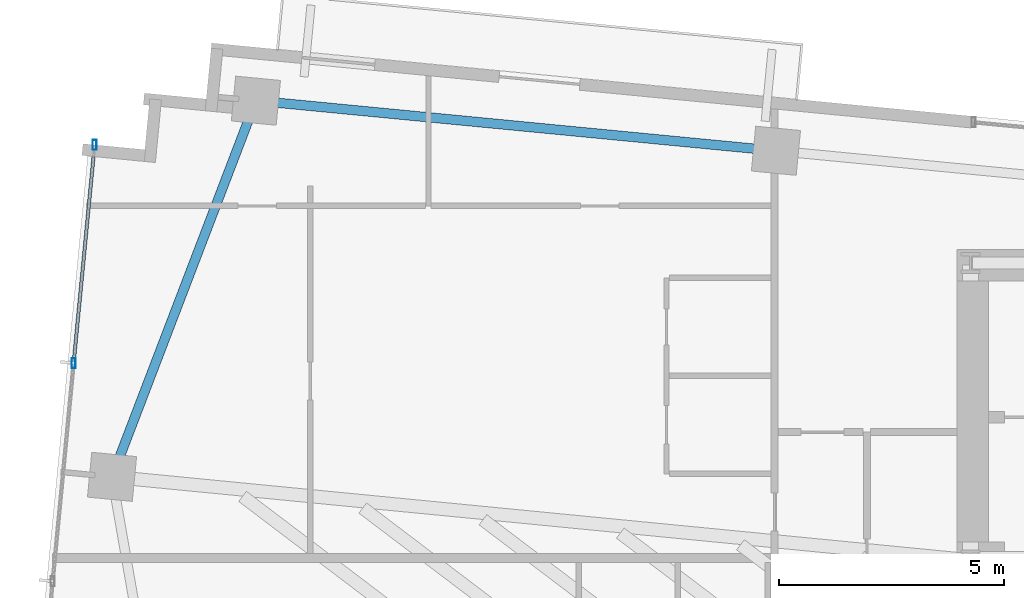
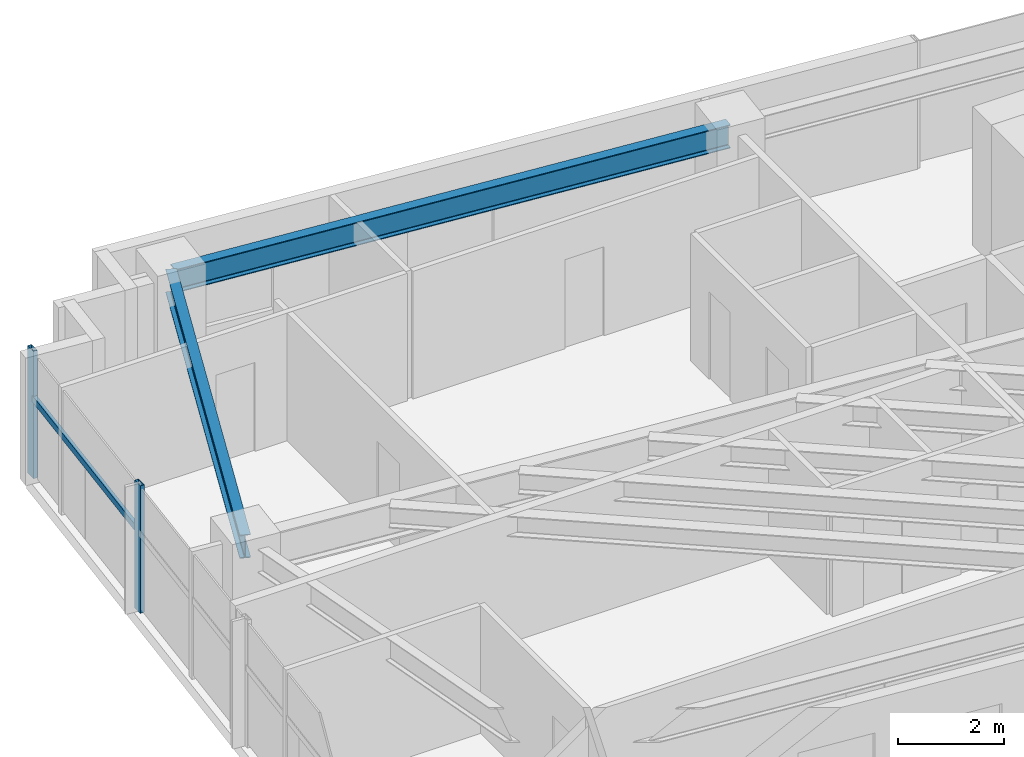
# One storey, part 6 of 20: 3 members, 2 beams, 1 element without a shape of its own.
"""IFC4 building model written with IfcOpenShell, lengths in metres."""

from ifc_helpers import new_model, si_unit, direction, frame, origin, origin_2d, place, context, subcontext, project, spatial, hollow_rectangle, i_section, extrude, source, transform, mapped, material, material_profile, profile_set, type_object, type_shapes, element, aggregate, save


model = new_model("IFC4")

# Units and contexts
model_context = context("Model", 3, precision=1e-05, world=origin(), true_north=direction((0.0, 1.0)))
body_context = subcontext(model_context, "Body", "Model", "MODEL_VIEW")
ifc_project = project(units=[si_unit("LENGTHUNIT", "METRE"), si_unit("AREAUNIT", "SQUARE_METRE"), si_unit("VOLUMEUNIT", "CUBIC_METRE"), si_unit("PLANEANGLEUNIT", "RADIAN"), si_unit("MASSUNIT", "GRAM", prefix="KILO")], contexts=[model_context])

# Site, building, storey
site_placement = place(None, origin())
site = spatial("IfcSite", under=ifc_project, at=site_placement, CompositionType="ELEMENT")
building_placement = place(site_placement, origin())
building = spatial("IfcBuilding", under=site, at=building_placement, Name="Astriad Promenade Condominiums", CompositionType="ELEMENT")
storey_placement = place(building_placement, frame((0.0, 0.0, 134.199951171875)))
storey = spatial("IfcBuildingStorey", under=building, at=storey_placement, Name="L38", CompositionType="ELEMENT", Elevation=134.199951171875)

# Beams
ifc_material_1 = material(Name="Steel ASTM A992 Grade 50", Category="steel")
ifc_material_profile_1 = material_profile(ifc_material_1, i_section(OverallWidth=0.210693359375, OverallDepth=0.53955078125, WebThickness=0.01171875, FlangeThickness=0.018798828125, FilletRadius=0.0166015625, at=origin_2d()), Name="W21X73")
ifc_profile_set_1 = profile_set([ifc_material_profile_1], Name="Steel ASTM A992 Grade 50")
beam_type = type_object("IfcBeamType", Name="STEEL SPANDREL BEAM W21X73", PredefinedType="SPANDREL", material=ifc_profile_set_1)
shared_shape_1 = source(origin(), body_context, "Body", "SweptSolid", [
    extrude(i_section(OverallWidth=0.210693359375, OverallDepth=0.53955078125, WebThickness=0.01171875, FlangeThickness=0.018798828125, FilletRadius=0.0166015625, at=origin_2d()), origin(), (0.0, 0.0, 1.0), 11.52001953125),
])
beam_1_placement = place(storey_placement, frame((22.039794921875, 26.495849609375, 2.670166015625), z_axis=(-0.9953953902, 0.095854145285, 0.0), x_axis=(-0.095854145285, -0.9953953902, 0.0)))
element("IfcBeam", 1, at=beam_1_placement, inside=storey, type_object=beam_type, Name="Perimeter Spandrel Beam SP-N1-L38", PredefinedType="SPANDREL", context=body_context, shape_type="MappedRepresentation", body=[
    mapped(shared_shape_1, transform((0.0, 0.0, 0.0), scale=1.0)),
])
shared_shape_2 = source(origin(), body_context, "Body", "SweptSolid", [
    extrude(i_section(OverallWidth=0.210693359375, OverallDepth=0.53955078125, WebThickness=0.01171875, FlangeThickness=0.018798828125, FilletRadius=0.0166015625, at=origin_2d()), origin(), (0.0, 0.0, 1.0), 8.862548828125),
])
type_shapes(beam_type, [shared_shape_1, shared_shape_2])
beam_2_placement = place(storey_placement, frame((10.518798828125, 27.56640625, 2.670166015625), z_axis=(-0.357322663703, -0.933981003021, 0.0), x_axis=(0.933981003021, -0.357322663703, 0.0)))
element("IfcBeam", 2, at=beam_2_placement, inside=storey, type_object=beam_type, Name="Perimeter Spandrel Beam SP-W2-L38", PredefinedType="SPANDREL", context=body_context, shape_type="MappedRepresentation", body=[
    mapped(shared_shape_2, transform((0.0, 0.0, 0.0), scale=1.0)),
])

# Curtain wall, members
ifc_material_2 = material(Name="Anodised aluminium Black Dark Glass Unitised", Category="aluminium")
curtain_wall_type = type_object("IfcCurtainWallType", Name="CW-B34-DARK", PredefinedType="USERDEFINED", material=ifc_material_2)
curtain_wall_placement = place(storey_placement, origin())
curtain_wall = element("IfcCurtainWall", 3, at=curtain_wall_placement, inside=storey, type_object=curtain_wall_type, Name="CW-L38-W", ObjectType="UNITISED_CURTAIN_WALL", PredefinedType="USERDEFINED")
ifc_material_3 = material(Name="Anodised aluminium 6063-T6 Black", Category="aluminium")
ifc_material_profile_2 = material_profile(ifc_material_3, hollow_rectangle(XDim=0.0849609375, YDim=0.219970703125, WallThickness=0.0048828125, at=origin_2d()), Name="ALU-MUL-85X220")
ifc_profile_set_2 = profile_set([ifc_material_profile_2], Name="Anodised aluminium 6063-T6 Black")
member_type_1 = type_object("IfcMemberType", Name="MUL-ALU-MUL-85X220", PredefinedType="MULLION", material=ifc_profile_set_2)
shared_shape_3 = source(origin(), body_context, "Body", "SweptSolid", [
    extrude(hollow_rectangle(XDim=0.0849609375, YDim=0.219970703125, WallThickness=0.0048828125, at=origin_2d()), origin(), (0.0, 0.0, 1.0), 2.93994140625),
])
type_shapes(member_type_1, [shared_shape_3])
member_1_placement = place(storey_placement, frame((6.486083984375, 21.7783203125, 0.0), z_axis=(0.0, 0.0, 1.0), x_axis=(1.0, 0.0, 0.0)))
member_1 = element("IfcMember", 4, at=member_1_placement, type_object=member_type_1, Name="CW-L38-W-MUL-02", PredefinedType="MULLION", context=body_context, shape_type="MappedRepresentation", body=[
    mapped(shared_shape_3, transform((0.0, 0.0, 0.0), scale=1.0)),
])
member_2_placement = place(storey_placement, frame((6.952392578125, 26.62255859375, 0.0), z_axis=(0.0, 0.0, 1.0), x_axis=(1.0, 0.0, 0.0)))
member_2 = element("IfcMember", 5, at=member_2_placement, type_object=member_type_1, Name="CW-L38-W-MUL-03", PredefinedType="MULLION", context=body_context, shape_type="MappedRepresentation", body=[
    mapped(shared_shape_3, transform((0.0, 0.0, 0.0), scale=1.0)),
])
ifc_material_profile_3 = material_profile(ifc_material_3, hollow_rectangle(XDim=0.074951171875, YDim=0.14990234375, WallThickness=0.004150390625, at=origin_2d()), Name="ALU-TRN-75X150")
ifc_profile_set_3 = profile_set([ifc_material_profile_3], Name="Anodised aluminium 6063-T6 Black")
member_type_2 = type_object("IfcMemberType", Name="TRN-ALU-TRN-75X150", PredefinedType="USERDEFINED", material=ifc_profile_set_3)
shared_shape_4 = source(origin(), body_context, "Body", "SweptSolid", [
    extrude(hollow_rectangle(XDim=0.074951171875, YDim=0.14990234375, WallThickness=0.004150390625, at=origin_2d()), origin(), (0.0, 0.0, 1.0), 4.86669921875),
])
type_shapes(member_type_2, [shared_shape_4])
member_3_placement = place(storey_placement, frame((6.486083984375, 21.7783203125, 1.82275390625), z_axis=(0.095817554883, 0.995398913088, 0.0), x_axis=(-0.995398913088, 0.095817554883, 0.0)))
member_3 = element("IfcMember", 6, at=member_3_placement, type_object=member_type_2, Name="CW-L38-W-TRN-02-0", ObjectType="TRANSOM", PredefinedType="USERDEFINED", context=body_context, shape_type="MappedRepresentation", body=[
    mapped(shared_shape_4, transform((0.0, 0.0, 0.0), scale=1.0)),
])
aggregate(curtain_wall, [member_1, member_2, member_3])

save(model, "model.ifc")
